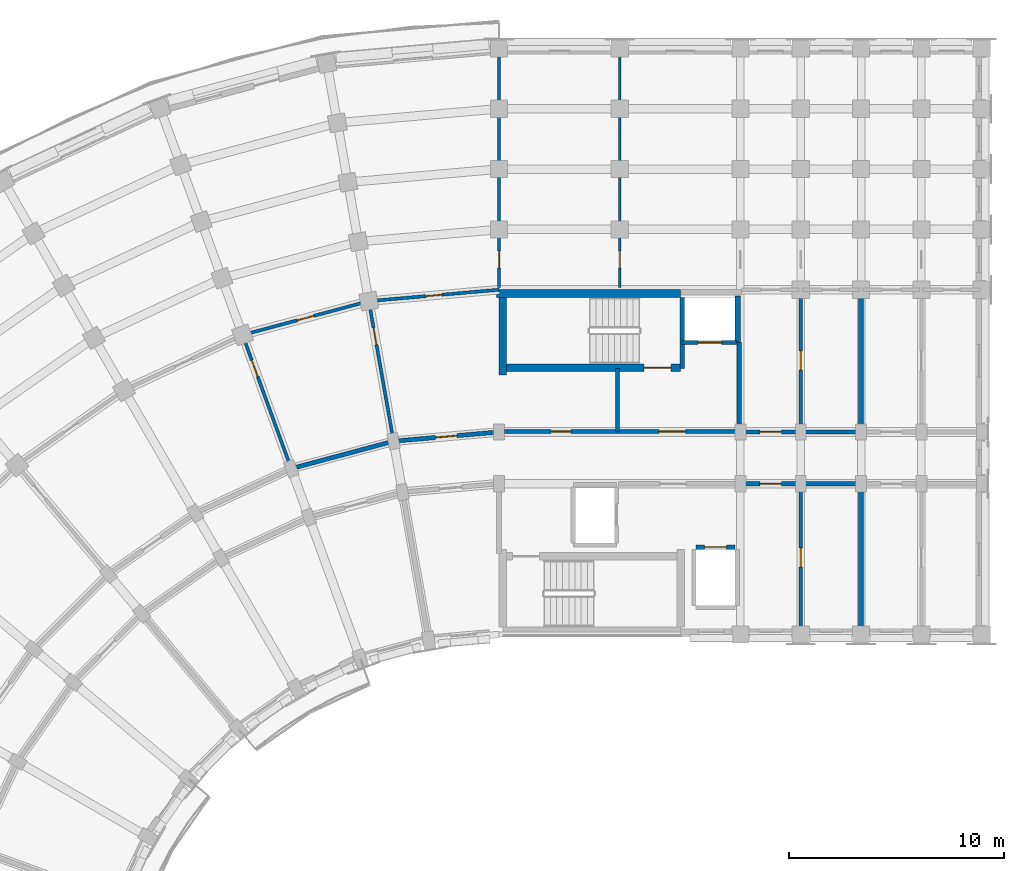
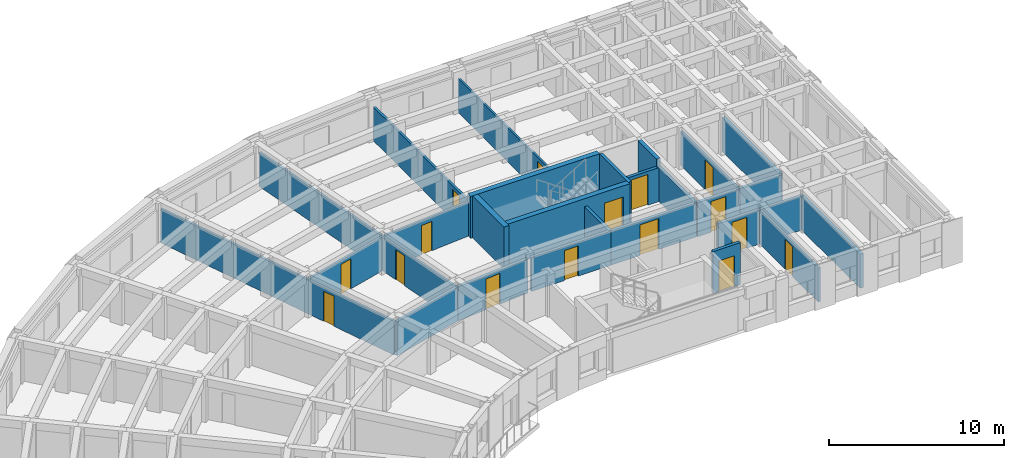
# One storey, part 46 of 76: 27 walls, 16 doors, 16 openings.
"""IFC4 building model written with IfcOpenShell, lengths in metres."""

from ifc_helpers import new_model, si_unit, direction, frame, frame_2d, origin, place, context, subcontext, project, spatial, rectangle, extrude, material, layer, layer_set, type_object, element, fill, save


model = new_model("IFC4")

# Units and contexts
model_context = context("Model", 3, precision=1e-05, world=origin(), true_north=direction((0.0, 1.0)))
body_context = subcontext(model_context, "Body", "Model", "MODEL_VIEW")
ifc_project = project(units=[si_unit("LENGTHUNIT", "METRE"), si_unit("AREAUNIT", "SQUARE_METRE"), si_unit("VOLUMEUNIT", "CUBIC_METRE"), si_unit("PLANEANGLEUNIT", "RADIAN"), si_unit("MASSUNIT", "GRAM", prefix="KILO")], contexts=[model_context])

# Site, building, storey
site_placement = place(None, origin())
site = spatial("IfcSite", under=ifc_project, at=site_placement, CompositionType="ELEMENT")
building_placement = place(site_placement, origin())
building = spatial("IfcBuilding", under=site, at=building_placement, Name="Kiranvali Square Residences", CompositionType="ELEMENT")
storey_placement = place(building_placement, frame((0.0, 0.0, 8.699951171875)))
storey = spatial("IfcBuildingStorey", under=building, at=storey_placement, Name="L02", CompositionType="ELEMENT", Elevation=8.699951171875)

# Wall, opening, door
ifc_material_1 = material(Name="Autoclaved aerated concrete blockwork masonry", Category="masonry")
ifc_layer_1 = layer(ifc_material_1, 0.199951171875)
ifc_layer_set_1 = layer_set([ifc_layer_1], Name="Autoclaved aerated concrete blockwork masonry")
wall_type_1 = type_object("IfcWallType", Name="WL-COR-200", PredefinedType="STANDARD", material=ifc_layer_set_1)
wall_1_placement = place(storey_placement, frame((59.39990234375, 113.60009765625, 0.0), z_axis=(0.0, 0.0, 1.0), x_axis=(1.0, 0.0, 0.0)))
wall_1 = element("IfcWall", 1, at=wall_1_placement, inside=storey, type_object=wall_type_1, Name="L02 architectural wall WL-L02-A-A1CI-0", PredefinedType="STANDARD", context=body_context, shape_type="SweptSolid", body=[
    extrude(rectangle(XDim=2.800048828125, YDim=0.199951171875, at=frame_2d((1.39990234375, 0.0))), origin(), (0.0, 0.0, 1.0), 2.3720703125),
])
opening_1_placement = place(wall_1_placement, frame((0.89990234375, 0.0, 0.0)))
opening_1 = element("IfcOpeningElement", 2, at=opening_1_placement, cuts=wall_1, Name="Opening FD-APT-60", PredefinedType="OPENING", context=body_context, shape_type="SweptSolid", body=[
    extrude(rectangle(XDim=1.0, YDim=2.14990234375, at=frame_2d((0.5, 1.074951171875))), frame((0.0, 0.10986328125, 0.0), z_axis=(0.0, -1.0, 0.0), x_axis=(1.0, 0.0, 0.0)), (0.0, 0.0, 1.0), 0.219970703125),
])
ifc_material_2 = material(Name="Fire-rated acoustic hardwood and mineral-core door assembly", Category="wood")
door_type_1 = type_object("IfcDoorType", Name="DR-APT-1000", OperationType="NOTDEFINED", PredefinedType="DOOR", material=ifc_material_2)
door_1_placement = place(opening_1_placement, frame((1.0, 0.0, 0.0), z_axis=(0.0, 0.0, 1.0), x_axis=(-1.0, 0.0, 0.0)))
door_1 = element("IfcDoor", 3, at=door_1_placement, inside=storey, type_object=door_type_1, Name="L02 door DR-L02-0166 (DR-APT-1000)", OperationType="SINGLE_SWING_RIGHT", OverallHeight=2.14990234375, OverallWidth=1.0, PredefinedType="DOOR", context=body_context, shape_type="SweptSolid", body=[
    extrude(rectangle(XDim=1.0, YDim=2.14990234375, at=frame_2d((0.5, 1.074951171875))), frame((0.0, 0.02490234375, 0.0), z_axis=(0.0, -1.0, 0.0), x_axis=(1.0, 0.0, 0.0)), (0.0, 0.0, 1.0), 0.050048828125),
])
fill(opening_1, door_1)

wall_2_placement = place(storey_placement, frame((59.39990234375, 116.0, 0.0), z_axis=(0.0, 0.0, 1.0), x_axis=(1.0, 0.0, 0.0)))
wall_2 = element("IfcWall", 4, at=wall_2_placement, inside=storey, type_object=wall_type_1, Name="L02 architectural wall WL-L02-A-A1CO-0", PredefinedType="STANDARD", context=body_context, shape_type="SweptSolid", body=[
    extrude(rectangle(XDim=2.800048828125, YDim=0.199951171875, at=frame_2d((1.39990234375, 0.0))), origin(), (0.0, 0.0, 1.0), 2.3720703125),
])
opening_2_placement = place(wall_2_placement, frame((0.89990234375, 0.0, 0.0)))
opening_2 = element("IfcOpeningElement", 5, at=opening_2_placement, cuts=wall_2, Name="Opening FD-APT-60", PredefinedType="OPENING", context=body_context, shape_type="SweptSolid", body=[
    extrude(rectangle(XDim=1.0, YDim=2.14990234375, at=frame_2d((0.5, 1.074951171875))), frame((0.0, 0.10986328125, 0.0), z_axis=(0.0, -1.0, 0.0), x_axis=(1.0, 0.0, 0.0)), (0.0, 0.0, 1.0), 0.219970703125),
])
door_2_placement = place(opening_2_placement, frame((1.0, 0.0, 0.0), z_axis=(0.0, 0.0, 1.0), x_axis=(-1.0, 0.0, 0.0)))
door_2 = element("IfcDoor", 6, at=door_2_placement, inside=storey, type_object=door_type_1, Name="L02 door DR-L02-0168 (DR-APT-1000)", OperationType="SINGLE_SWING_RIGHT", OverallHeight=2.14990234375, OverallWidth=1.0, PredefinedType="DOOR", context=body_context, shape_type="SweptSolid", body=[
    extrude(rectangle(XDim=1.0, YDim=2.14990234375, at=frame_2d((0.5, 1.074951171875))), frame((0.0, 0.02490234375, 0.0), z_axis=(0.0, -1.0, 0.0), x_axis=(1.0, 0.0, 0.0)), (0.0, 0.0, 1.0), 0.050048828125),
])
fill(opening_2, door_2)

# Walls
for number, where, z_axis, x_axis, name in (
    (7, (62.199951171875, 113.60009765625, 0.0), (0.0, 0.0, 1.0), (1.0, 0.0, 0.0), "L02 architectural wall WL-L02-A-A1CI-1"),
    (8, (62.199951171875, 116.0, 0.0), (0.0, 0.0, 1.0), (1.0, 0.0, 0.0), "L02 architectural wall WL-L02-A-A1CO-1"),
):
    element("IfcWall", number, at=place(storey_placement, frame(where, z_axis=z_axis, x_axis=x_axis)), inside=storey, type_object=wall_type_1, Name=name, PredefinedType="STANDARD", context=body_context, shape_type="SweptSolid", body=[
        extrude(rectangle(XDim=2.800048828125, YDim=0.199951171875, at=frame_2d((1.39990234375, 0.0))), origin(), (0.0, 0.0, 1.0), 2.3720703125),
    ])

# Wall, opening, door
wall_3_placement = place(storey_placement, frame((48.199951171875, 116.0, 0.0), z_axis=(0.0, 0.0, 1.0), x_axis=(-0.996193663584, -0.087167566415, 0.0)))
wall_3 = element("IfcWall", 9, at=wall_3_placement, inside=storey, type_object=wall_type_1, Name="L02 architectural wall WL-L02-A-CCO-0", PredefinedType="STANDARD", context=body_context, shape_type="SweptSolid", body=[
    extrude(rectangle(XDim=4.91552734375, YDim=0.199951171875, at=frame_2d((2.457763671875, 0.0))), origin(), (0.0, 0.0, 1.0), 2.3720703125),
])
opening_3_placement = place(wall_3_placement, frame((1.957763671875, 0.0, 0.0)))
opening_3 = element("IfcOpeningElement", 10, at=opening_3_placement, cuts=wall_3, Name="Opening FD-APT-60", PredefinedType="OPENING", context=body_context, shape_type="SweptSolid", body=[
    extrude(rectangle(XDim=1.0, YDim=2.14990234375, at=frame_2d((0.5, 1.074951171875))), frame((0.0, 0.10986328125, 0.0), z_axis=(0.0, -1.0, 0.0), x_axis=(1.0, 0.0, 0.0)), (0.0, 0.0, 1.0), 0.219970703125),
])
door_3_placement = place(opening_3_placement, origin())
door_3 = element("IfcDoor", 11, at=door_3_placement, inside=storey, type_object=door_type_1, Name="L02 door DR-L02-0187 (DR-APT-1000)", OperationType="SINGLE_SWING_LEFT", OverallHeight=2.14990234375, OverallWidth=1.0, PredefinedType="DOOR", context=body_context, shape_type="SweptSolid", body=[
    extrude(rectangle(XDim=1.0, YDim=2.14990234375, at=frame_2d((0.5, 1.074951171875))), frame((0.0, 0.02490234375, 0.0), z_axis=(0.0, -1.0, 0.0), x_axis=(1.0, 0.0, 0.0)), (0.0, 0.0, 1.0), 0.050048828125),
])
fill(opening_3, door_3)

# Walls
wall_4_placement = place(storey_placement, frame((43.30322265625, 115.571533203125, 0.0), z_axis=(0.0, 0.0, 1.0), x_axis=(-0.965930095386, -0.258803112091, 0.0)))
element("IfcWall", 12, at=wall_4_placement, inside=storey, type_object=wall_type_1, Name="L02 architectural wall WL-L02-A-CCO-1", PredefinedType="STANDARD", context=body_context, shape_type="SweptSolid", body=[
    extrude(rectangle(XDim=4.915771484375, YDim=0.199951171875, at=frame_2d((2.4580078125, 0.0))), origin(), (0.0, 0.0, 1.0), 2.3720703125),
])
ifc_layer_2 = layer(ifc_material_1, 0.219970703125)
ifc_layer_set_2 = layer_set([ifc_layer_2], Name="Autoclaved aerated concrete blockwork masonry")
wall_type_2 = type_object("IfcWallType", Name="WL-DEM-220", PredefinedType="STANDARD", material=ifc_layer_set_2)
wall_5_placement = place(storey_placement, frame((65.0, 106.800048828125, 0.0), z_axis=(0.0, 0.0, 1.0), x_axis=(0.0, 1.0, 0.0)))
element("IfcWall", 13, at=wall_5_placement, inside=storey, type_object=wall_type_2, Name="L02 architectural wall WL-L02-A-A1TI-2", PredefinedType="STANDARD", context=body_context, shape_type="SweptSolid", body=[
    extrude(rectangle(XDim=6.75, YDim=0.219970703125, at=frame_2d((3.375, 0.0))), origin(), (0.0, 0.0, 1.0), 2.3720703125),
])
wall_6_placement = place(storey_placement, frame((65.0, 116.050048828125, 0.0), z_axis=(0.0, 0.0, 1.0), x_axis=(0.0, 1.0, 0.0)))
element("IfcWall", 14, at=wall_6_placement, inside=storey, type_object=wall_type_2, Name="L02 architectural wall WL-L02-A-A1TO1-2", PredefinedType="STANDARD", context=body_context, shape_type="SweptSolid", body=[
    extrude(rectangle(XDim=6.530029296875, YDim=0.219970703125, at=frame_2d((3.26513671875, 0.0))), origin(), (0.0, 0.0, 1.0), 2.3720703125),
])

# Wall, opening, door
ifc_layer_3 = layer(ifc_material_1, 0.199951171875)
ifc_layer_set_3 = layer_set([ifc_layer_3], Name="Autoclaved aerated concrete blockwork masonry")
wall_type_3 = type_object("IfcWallType", Name="WL-FFL-200", PredefinedType="STANDARD", material=ifc_layer_set_3)
wall_7_placement = place(storey_placement, frame((53.699951171875, 116.02001953125, 0.0), z_axis=(0.0, 0.0, 1.0), x_axis=(1.0, 0.0, 0.0)))
wall_7 = element("IfcWall", 15, at=wall_7_placement, inside=storey, type_object=wall_type_3, Name="L02 architectural wall WL-L02-A-FF-COR", PredefinedType="STANDARD", context=body_context, shape_type="SweptSolid", body=[
    extrude(rectangle(XDim=5.650146484375, YDim=0.199951171875, at=frame_2d((2.8251953125, 0.0))), origin(), (0.0, 0.0, 1.0), 2.3720703125),
])
opening_4_placement = place(wall_7_placement, frame((1.922607421875, 0.0, 0.0)))
opening_4 = element("IfcOpeningElement", 16, at=opening_4_placement, cuts=wall_7, Name="Opening FD-ST-120", PredefinedType="OPENING", context=body_context, shape_type="SweptSolid", body=[
    extrude(rectangle(XDim=1.239990234375, YDim=2.14990234375, at=frame_2d((0.6201171875, 1.074951171875))), frame((0.0, 0.10986328125, 0.0), z_axis=(0.0, -1.0, 0.0), x_axis=(1.0, 0.0, 0.0)), (0.0, 0.0, 1.0), 0.219970703125),
])
door_type_2 = type_object("IfcDoorType", Name="DR-FD120-1200", OperationType="NOTDEFINED", PredefinedType="DOOR", material=ifc_material_2)
door_4_placement = place(opening_4_placement, frame((1.239990234375, 0.0, 0.0), z_axis=(0.0, 0.0, 1.0), x_axis=(-1.0, 0.0, 0.0)))
door_4 = element("IfcDoor", 17, at=door_4_placement, inside=storey, type_object=door_type_2, Name="L02 door DR-L02-0154 (DR-FD120-1200)", OperationType="SINGLE_SWING_RIGHT", OverallHeight=2.14990234375, OverallWidth=1.239990234375, PredefinedType="DOOR", context=body_context, shape_type="SweptSolid", body=[
    extrude(rectangle(XDim=1.239990234375, YDim=2.14990234375, at=frame_2d((0.6201171875, 1.074951171875))), frame((0.0, 0.02490234375, 0.0), z_axis=(0.0, -1.0, 0.0), x_axis=(1.0, 0.0, 0.0)), (0.0, 0.0, 1.0), 0.050048828125),
])
fill(opening_4, door_4)

# Walls
wall_8_placement = place(storey_placement, frame((53.699951171875, 116.02001953125, 0.0), z_axis=(0.0, 0.0, 1.0), x_axis=(0.0, 1.0, 0.0)))
element("IfcWall", 18, at=wall_8_placement, inside=storey, type_object=wall_type_3, Name="L02 architectural wall WL-L02-A-FF-DIV", PredefinedType="STANDARD", context=body_context, shape_type="SweptSolid", body=[
    extrude(rectangle(XDim=2.929931640625, YDim=0.199951171875, at=frame_2d((1.46484375, 0.0))), origin(), (0.0, 0.0, 1.0), 2.3720703125),
])
wall_9_placement = place(storey_placement, frame((59.35009765625, 116.02001953125, 0.0), z_axis=(0.0, 0.0, 1.0), x_axis=(0.0, 1.0, 0.0)))
element("IfcWall", 19, at=wall_9_placement, inside=storey, type_object=wall_type_3, Name="L02 architectural wall WL-L02-A-FF-END", PredefinedType="STANDARD", context=body_context, shape_type="SweptSolid", body=[
    extrude(rectangle(XDim=4.1298828125, YDim=0.199951171875, at=frame_2d((2.06494140625, 0.0))), origin(), (0.0, 0.0, 1.0), 2.3720703125),
])

# Wall, opening, door
wall_10_placement = place(storey_placement, frame((56.699951171875, 120.14990234375, 0.0), z_axis=(0.0, 0.0, 1.0), x_axis=(1.0, 0.0, 0.0)))
wall_10 = element("IfcWall", 20, at=wall_10_placement, inside=storey, type_object=wall_type_3, Name="L02 architectural wall WL-L02-A-FF-LFT", PredefinedType="STANDARD", context=body_context, shape_type="SweptSolid", body=[
    extrude(rectangle(XDim=2.550048828125, YDim=0.199951171875, at=frame_2d((1.27490234375, 0.0))), origin(), (0.0, 0.0, 1.0), 2.3720703125),
])
opening_5_placement = place(wall_10_placement, frame((0.72509765625, 0.0, 0.0)))
opening_5 = element("IfcOpeningElement", 21, at=opening_5_placement, cuts=wall_10, Name="Opening LD-FF-110", PredefinedType="OPENING", context=body_context, shape_type="SweptSolid", body=[
    extrude(rectangle(XDim=1.10009765625, YDim=2.14990234375, at=frame_2d((0.550048828125, 1.074951171875))), frame((0.0, 0.10986328125, 0.0), z_axis=(0.0, -1.0, 0.0), x_axis=(1.0, 0.0, 0.0)), (0.0, 0.0, 1.0), 0.219970703125),
])
door_type_3 = type_object("IfcDoorType", Name="DR-LIFT-FF-1100", OperationType="SLIDING_TO_LEFT", PredefinedType="DOOR", material=ifc_material_2)
door_5_placement = place(opening_5_placement, origin())
door_5 = element("IfcDoor", 22, at=door_5_placement, inside=storey, type_object=door_type_3, Name="L02 door DR-L02-0156 (DR-LIFT-FF-1100)", OperationType="SLIDING_TO_LEFT", OverallHeight=2.14990234375, OverallWidth=1.10009765625, PredefinedType="DOOR", context=body_context, shape_type="SweptSolid", body=[
    extrude(rectangle(XDim=1.10009765625, YDim=2.14990234375, at=frame_2d((0.550048828125, 1.074951171875))), frame((0.0, 0.02490234375, 0.0), z_axis=(0.0, -1.0, 0.0), x_axis=(1.0, 0.0, 0.0)), (0.0, 0.0, 1.0), 0.050048828125),
])
fill(opening_5, door_5)

ifc_material_3 = material(Name="Acoustic gypsum board drylined partition", Category="gypsum")
ifc_layer_4 = layer(ifc_material_3, 0.125)
ifc_layer_set_4 = layer_set([ifc_layer_4], Name="Acoustic gypsum board drylined partition")
wall_type_4 = type_object("IfcWallType", Name="WL-PRT-125", PredefinedType="PARTITIONING", material=ifc_layer_set_4)
wall_11_placement = place(storey_placement, frame((53.800048828125, 122.699951171875, 0.0), z_axis=(0.0, 0.0, 1.0), x_axis=(0.0, 1.0, 0.0)))
wall_11 = element("IfcWall", 23, at=wall_11_placement, inside=storey, type_object=wall_type_4, Name="L02 architectural wall WL-L02-A-CF-MID", PredefinedType="PARTITIONING", context=body_context, shape_type="SweptSolid", body=[
    extrude(rectangle(XDim=10.820068359375, YDim=0.125, at=frame_2d((5.41015625, 0.0))), origin(), (0.0, 0.0, 1.0), 2.3720703125),
])
opening_6_placement = place(wall_11_placement, frame((0.8994140625, 0.0, 0.0)))
opening_6 = element("IfcOpeningElement", 24, at=opening_6_placement, cuts=wall_11, Name="Opening ID-WET", PredefinedType="OPENING", context=body_context, shape_type="SweptSolid", body=[
    extrude(rectangle(XDim=0.800048828125, YDim=2.10009765625, at=frame_2d((0.39990234375, 1.050048828125))), frame((0.0, 0.072509765625, 0.0), z_axis=(0.0, -1.0, 0.0), x_axis=(1.0, 0.0, 0.0)), (0.0, 0.0, 1.0), 0.14501953125),
])
ifc_material_4 = material(Name="Solid seasoned teak hardwood joinery", Category="wood")
door_type_4 = type_object("IfcDoorType", Name="DR-WET-800", OperationType="NOTDEFINED", PredefinedType="DOOR", material=ifc_material_4)
door_6_placement = place(opening_6_placement, origin())
door_6 = element("IfcDoor", 25, at=door_6_placement, inside=storey, type_object=door_type_4, Name="L02 door DR-L02-0165 (DR-WET-800)", OperationType="SINGLE_SWING_LEFT", OverallHeight=2.10009765625, OverallWidth=0.800048828125, PredefinedType="DOOR", context=body_context, shape_type="SweptSolid", body=[
    extrude(rectangle(XDim=0.800048828125, YDim=2.10009765625, at=frame_2d((0.39990234375, 1.050048828125))), frame((0.0, 0.02490234375, 0.0), z_axis=(0.0, -1.0, 0.0), x_axis=(1.0, 0.0, 0.0)), (0.0, 0.0, 1.0), 0.050048828125),
])
fill(opening_6, door_6)

ifc_layer_5 = layer(ifc_material_3, 0.14990234375)
ifc_layer_set_5 = layer_set([ifc_layer_5], Name="Acoustic gypsum board drylined partition")
wall_type_5 = type_object("IfcWallType", Name="WL-PRT-150", PredefinedType="PARTITIONING", material=ifc_layer_set_5)
wall_12_placement = place(storey_placement, frame((62.199951171875, 106.800048828125, 0.0), z_axis=(0.0, 0.0, 1.0), x_axis=(0.0, 1.0, 0.0)))
wall_12 = element("IfcWall", 26, at=wall_12_placement, inside=storey, type_object=wall_type_5, Name="L02 architectural wall WL-L02-A-A1TI-1", PredefinedType="PARTITIONING", context=body_context, shape_type="SweptSolid", body=[
    extrude(rectangle(XDim=6.75, YDim=0.14990234375, at=frame_2d((3.375, 0.0))), origin(), (0.0, 0.0, 1.0), 2.3720703125),
])
opening_7_placement = place(wall_12_placement, frame((2.925048828125, 0.0, 0.0)))
opening_7 = element("IfcOpeningElement", 27, at=opening_7_placement, cuts=wall_12, Name="Opening ID-1", PredefinedType="OPENING", context=body_context, shape_type="SweptSolid", body=[
    extrude(rectangle(XDim=0.89990234375, YDim=2.10009765625, at=frame_2d((0.449951171875, 1.050048828125))), frame((0.0, 0.0849609375, 0.0), z_axis=(0.0, -1.0, 0.0), x_axis=(1.0, 0.0, 0.0)), (0.0, 0.0, 1.0), 0.169921875),
])
door_type_5 = type_object("IfcDoorType", Name="DR-INT-900", OperationType="NOTDEFINED", PredefinedType="DOOR", material=ifc_material_4)
door_7_placement = place(opening_7_placement, origin())
door_7 = element("IfcDoor", 28, at=door_7_placement, inside=storey, type_object=door_type_5, Name="L02 door DR-L02-0175 (DR-INT-900)", OperationType="SINGLE_SWING_LEFT", OverallHeight=2.10009765625, OverallWidth=0.89990234375, PredefinedType="DOOR", context=body_context, shape_type="SweptSolid", body=[
    extrude(rectangle(XDim=0.89990234375, YDim=2.10009765625, at=frame_2d((0.449951171875, 1.050048828125))), frame((0.0, 0.02490234375, 0.0), z_axis=(0.0, -1.0, 0.0), x_axis=(1.0, 0.0, 0.0)), (0.0, 0.0, 1.0), 0.050048828125),
])
fill(opening_7, door_7)

wall_13_placement = place(storey_placement, frame((62.199951171875, 116.050048828125, 0.0), z_axis=(0.0, 0.0, 1.0), x_axis=(0.0, 1.0, 0.0)))
wall_13 = element("IfcWall", 29, at=wall_13_placement, inside=storey, type_object=wall_type_5, Name="L02 architectural wall WL-L02-A-A1TO1-1", PredefinedType="PARTITIONING", context=body_context, shape_type="SweptSolid", body=[
    extrude(rectangle(XDim=6.530029296875, YDim=0.14990234375, at=frame_2d((3.26513671875, 0.0))), origin(), (0.0, 0.0, 1.0), 2.3720703125),
])
opening_8_placement = place(wall_13_placement, frame((2.81494140625, 0.0, 0.0)))
opening_8 = element("IfcOpeningElement", 30, at=opening_8_placement, cuts=wall_13, Name="Opening ID-1", PredefinedType="OPENING", context=body_context, shape_type="SweptSolid", body=[
    extrude(rectangle(XDim=0.89990234375, YDim=2.10009765625, at=frame_2d((0.449951171875, 1.050048828125))), frame((0.0, 0.0849609375, 0.0), z_axis=(0.0, -1.0, 0.0), x_axis=(1.0, 0.0, 0.0)), (0.0, 0.0, 1.0), 0.169921875),
])
door_8_placement = place(opening_8_placement, frame((0.89990234375, 0.0, 0.0), z_axis=(0.0, 0.0, 1.0), x_axis=(-1.0, 0.0, 0.0)))
door_8 = element("IfcDoor", 31, at=door_8_placement, inside=storey, type_object=door_type_5, Name="L02 door DR-L02-0176 (DR-INT-900)", OperationType="SINGLE_SWING_RIGHT", OverallHeight=2.10009765625, OverallWidth=0.89990234375, PredefinedType="DOOR", context=body_context, shape_type="SweptSolid", body=[
    extrude(rectangle(XDim=0.89990234375, YDim=2.10009765625, at=frame_2d((0.449951171875, 1.050048828125))), frame((0.0, 0.02490234375, 0.0), z_axis=(0.0, -1.0, 0.0), x_axis=(1.0, 0.0, 0.0)), (0.0, 0.0, 1.0), 0.050048828125),
])
fill(opening_8, door_8)

wall_14_placement = place(storey_placement, frame((48.199951171875, 122.699951171875, 0.0), z_axis=(0.0, 0.0, 1.0), x_axis=(0.0, 1.0, 0.0)))
wall_14 = element("IfcWall", 32, at=wall_14_placement, inside=storey, type_object=wall_type_5, Name="L02 architectural wall WL-L02-A-RADO-0", PredefinedType="PARTITIONING", context=body_context, shape_type="SweptSolid", body=[
    extrude(rectangle(XDim=10.820068359375, YDim=0.14990234375, at=frame_2d((5.41015625, 0.0))), origin(), (0.0, 0.0, 1.0), 2.3720703125),
])
opening_9_placement = place(wall_14_placement, frame((0.8994140625, 0.0, 0.0)))
opening_9 = element("IfcOpeningElement", 33, at=opening_9_placement, cuts=wall_14, Name="Opening ID-WET", PredefinedType="OPENING", context=body_context, shape_type="SweptSolid", body=[
    extrude(rectangle(XDim=0.800048828125, YDim=2.10009765625, at=frame_2d((0.39990234375, 1.050048828125))), frame((0.0, 0.0849609375, 0.0), z_axis=(0.0, -1.0, 0.0), x_axis=(1.0, 0.0, 0.0)), (0.0, 0.0, 1.0), 0.169921875),
])
door_9_placement = place(opening_9_placement, origin())
door_9 = element("IfcDoor", 34, at=door_9_placement, inside=storey, type_object=door_type_4, Name="L02 door DR-L02-0181 (DR-WET-800)", OperationType="SINGLE_SWING_LEFT", OverallHeight=2.10009765625, OverallWidth=0.800048828125, PredefinedType="DOOR", context=body_context, shape_type="SweptSolid", body=[
    extrude(rectangle(XDim=0.800048828125, YDim=2.10009765625, at=frame_2d((0.39990234375, 1.050048828125))), frame((0.0, 0.02490234375, 0.0), z_axis=(0.0, -1.0, 0.0), x_axis=(1.0, 0.0, 0.0)), (0.0, 0.0, 1.0), 0.050048828125),
])
fill(opening_9, door_9)

wall_15_placement = place(storey_placement, frame((43.28564453125, 115.670166015625, 0.0), z_axis=(0.0, 0.0, 1.0), x_axis=(-0.173646216546, 0.984808098809, 0.0)))
wall_15 = element("IfcWall", 35, at=wall_15_placement, inside=storey, type_object=wall_type_5, Name="L02 architectural wall WL-L02-A-RADO-1", PredefinedType="PARTITIONING", context=body_context, shape_type="SweptSolid", body=[
    extrude(rectangle(XDim=17.419921875, YDim=0.14990234375, at=frame_2d((8.7099609375, 0.0))), origin(), (0.0, 0.0, 1.0), 2.3720703125),
])
opening_10_placement = place(wall_15_placement, frame((4.44970703125, 0.0, 0.0)))
opening_10 = element("IfcOpeningElement", 36, at=opening_10_placement, cuts=wall_15, Name="Opening ID-WET", PredefinedType="OPENING", context=body_context, shape_type="SweptSolid", body=[
    extrude(rectangle(XDim=0.800048828125, YDim=2.10009765625, at=frame_2d((0.39990234375, 1.050048828125))), frame((0.0, 0.0849609375, 0.0), z_axis=(0.0, -1.0, 0.0), x_axis=(1.0, 0.0, 0.0)), (0.0, 0.0, 1.0), 0.169921875),
])
door_10_placement = place(opening_10_placement, frame((0.800048828125, 0.0, 0.0), z_axis=(0.0, 0.0, 1.0), x_axis=(-1.0, 0.0, 0.0)))
door_10 = element("IfcDoor", 37, at=door_10_placement, inside=storey, type_object=door_type_4, Name="L02 door DR-L02-0182 (DR-WET-800)", OperationType="SINGLE_SWING_RIGHT", OverallHeight=2.10009765625, OverallWidth=0.800048828125, PredefinedType="DOOR", context=body_context, shape_type="SweptSolid", body=[
    extrude(rectangle(XDim=0.800048828125, YDim=2.10009765625, at=frame_2d((0.39990234375, 1.050048828125))), frame((0.0, 0.02490234375, 0.0), z_axis=(0.0, -1.0, 0.0), x_axis=(1.0, 0.0, 0.0)), (0.0, 0.0, 1.0), 0.050048828125),
])
fill(opening_10, door_10)

wall_16_placement = place(storey_placement, frame((38.520751953125, 114.393310546875, 0.0), z_axis=(0.0, 0.0, 1.0), x_axis=(-0.342022120477, 0.939691901159, 0.0)))
wall_16 = element("IfcWall", 38, at=wall_16_placement, inside=storey, type_object=wall_type_5, Name="L02 architectural wall WL-L02-A-RADO-2", PredefinedType="PARTITIONING", context=body_context, shape_type="SweptSolid", body=[
    extrude(rectangle(XDim=17.419921875, YDim=0.14990234375, at=frame_2d((8.7099609375, 0.0))), origin(), (0.0, 0.0, 1.0), 2.3720703125),
])
opening_11_placement = place(wall_16_placement, frame((4.44970703125, 0.0, 0.0)))
opening_11 = element("IfcOpeningElement", 39, at=opening_11_placement, cuts=wall_16, Name="Opening ID-WET", PredefinedType="OPENING", context=body_context, shape_type="SweptSolid", body=[
    extrude(rectangle(XDim=0.800048828125, YDim=2.10009765625, at=frame_2d((0.39990234375, 1.050048828125))), frame((0.0, 0.0849609375, 0.0), z_axis=(0.0, -1.0, 0.0), x_axis=(1.0, 0.0, 0.0)), (0.0, 0.0, 1.0), 0.169921875),
])
door_11_placement = place(opening_11_placement, origin())
door_11 = element("IfcDoor", 40, at=door_11_placement, inside=storey, type_object=door_type_4, Name="L02 door DR-L02-0183 (DR-WET-800)", OperationType="SINGLE_SWING_LEFT", OverallHeight=2.10009765625, OverallWidth=0.800048828125, PredefinedType="DOOR", context=body_context, shape_type="SweptSolid", body=[
    extrude(rectangle(XDim=0.800048828125, YDim=2.10009765625, at=frame_2d((0.39990234375, 1.050048828125))), frame((0.0, 0.02490234375, 0.0), z_axis=(0.0, -1.0, 0.0), x_axis=(1.0, 0.0, 0.0)), (0.0, 0.0, 1.0), 0.050048828125),
])
fill(opening_11, door_11)

ifc_layer_6 = layer(ifc_material_1, 0.199951171875)
ifc_layer_set_6 = layer_set([ifc_layer_6], Name="Autoclaved aerated concrete blockwork masonry")
wall_type_6 = type_object("IfcWallType", Name="WL-SHF-200", PredefinedType="STANDARD", material=ifc_layer_set_6)
wall_17_placement = place(storey_placement, frame((48.449951171875, 116.02001953125, 0.0), z_axis=(0.0, 0.0, 1.0), x_axis=(1.0, 0.0, 0.0)))
wall_17 = element("IfcWall", 41, at=wall_17_placement, inside=storey, type_object=wall_type_6, Name="L02 architectural wall WL-L02-A-RSR-COR", PredefinedType="STANDARD", context=body_context, shape_type="SweptSolid", body=[
    extrude(rectangle(XDim=5.25, YDim=0.199951171875, at=frame_2d((2.625, 0.0))), origin(), (0.0, 0.0, 1.0), 2.3720703125),
])
opening_12_placement = place(wall_17_placement, frame((2.1650390625, 0.0, 0.0)))
opening_12 = element("IfcOpeningElement", 42, at=opening_12_placement, cuts=wall_17, Name="Opening FD-SVC-120", PredefinedType="OPENING", context=body_context, shape_type="SweptSolid", body=[
    extrude(rectangle(XDim=0.919921875, YDim=2.10009765625, at=frame_2d((0.4599609375, 1.050048828125))), frame((0.0, 0.10986328125, 0.0), z_axis=(0.0, -1.0, 0.0), x_axis=(1.0, 0.0, 0.0)), (0.0, 0.0, 1.0), 0.219970703125),
])
door_type_6 = type_object("IfcDoorType", Name="DR-SVC-900", OperationType="NOTDEFINED", PredefinedType="DOOR", material=ifc_material_2)
door_12_placement = place(opening_12_placement, origin())
door_12 = element("IfcDoor", 43, at=door_12_placement, inside=storey, type_object=door_type_6, Name="L02 door DR-L02-0155 (DR-SVC-900)", OperationType="SINGLE_SWING_LEFT", OverallHeight=2.10009765625, OverallWidth=0.919921875, PredefinedType="DOOR", context=body_context, shape_type="SweptSolid", body=[
    extrude(rectangle(XDim=0.919921875, YDim=2.10009765625, at=frame_2d((0.4599609375, 1.050048828125))), frame((0.0, 0.02490234375, 0.0), z_axis=(0.0, -1.0, 0.0), x_axis=(1.0, 0.0, 0.0)), (0.0, 0.0, 1.0), 0.050048828125),
])
fill(opening_12, door_12)

# Wall
wall_18_placement = place(storey_placement, frame((56.699951171875, 118.949951171875, 0.0), z_axis=(0.0, 0.0, 1.0), x_axis=(0.0, 1.0, 0.0)))
element("IfcWall", 44, at=wall_18_placement, inside=storey, type_object=wall_type_6, Name="L02 architectural wall WL-L02-A-FF-SHF", PredefinedType="STANDARD", context=body_context, shape_type="SweptSolid", body=[
    extrude(rectangle(XDim=3.300048828125, YDim=0.199951171875, at=frame_2d((1.64990234375, 0.0))), origin(), (0.0, 0.0, 1.0), 2.929931640625),
])

# Wall, opening, door
wall_19_placement = place(storey_placement, frame((57.35009765625, 110.64990234375, 0.0), z_axis=(0.0, 0.0, 1.0), x_axis=(1.0, 0.0, 0.0)))
wall_19 = element("IfcWall", 45, at=wall_19_placement, inside=storey, type_object=wall_type_6, Name="L02 architectural wall WL-L02-A-LP1-F", PredefinedType="STANDARD", context=body_context, shape_type="SweptSolid", body=[
    extrude(rectangle(XDim=1.7998046875, YDim=0.199951171875, at=frame_2d((0.89990234375, 0.0))), origin(), (0.0, 0.0, 1.0), 2.929931640625),
])
opening_13_placement = place(wall_19_placement, frame((0.389892578125, 0.0, 0.0)))
opening_13 = element("IfcOpeningElement", 46, at=opening_13_placement, cuts=wall_19, Name="Opening LD-PAX-100", PredefinedType="OPENING", context=body_context, shape_type="SweptSolid", body=[
    extrude(rectangle(XDim=1.02001953125, YDim=2.14990234375, at=frame_2d((0.510009765625, 1.074951171875))), frame((0.0, 0.10986328125, 0.0), z_axis=(0.0, -1.0, 0.0), x_axis=(1.0, 0.0, 0.0)), (0.0, 0.0, 1.0), 0.219970703125),
])
door_type_7 = type_object("IfcDoorType", Name="DR-LIFT-1000", OperationType="SLIDING_TO_RIGHT", PredefinedType="DOOR", material=ifc_material_2)
door_13_placement = place(opening_13_placement, origin())
door_13 = element("IfcDoor", 47, at=door_13_placement, inside=storey, type_object=door_type_7, Name="L02 door DR-L02-0160 (DR-LIFT-1000)", OperationType="SLIDING_TO_RIGHT", OverallHeight=2.14990234375, OverallWidth=1.02001953125, PredefinedType="DOOR", context=body_context, shape_type="SweptSolid", body=[
    extrude(rectangle(XDim=1.02001953125, YDim=2.14990234375, at=frame_2d((0.510009765625, 1.074951171875))), frame((0.0, 0.02490234375, 0.0), z_axis=(0.0, -1.0, 0.0), x_axis=(1.0, 0.0, 0.0)), (0.0, 0.0, 1.0), 0.050048828125),
])
fill(opening_13, door_13)

# Walls
ifc_material_5 = material(Name="Concrete M45 (45 MPa)", Category="concrete")
ifc_layer_7 = layer(ifc_material_5, 0.25)
ifc_layer_set_7 = layer_set([ifc_layer_7], Name="Concrete M45 (45 MPa)")
wall_type_7 = type_object("IfcWallType", Name="WL-SHR-250", PredefinedType="SHEAR", material=ifc_layer_set_7)
wall_20_placement = place(storey_placement, frame((59.27490234375, 120.14990234375, 0.0), z_axis=(0.0, 0.0, 1.0), x_axis=(0.0, 1.0, 0.0)))
element("IfcWall", 48, at=wall_20_placement, inside=storey, type_object=wall_type_7, Name="Block A core shear wall SW-AFF-SD-L02", PredefinedType="SHEAR", context=body_context, shape_type="SweptSolid", body=[
    extrude(rectangle(XDim=2.150146484375, YDim=0.25, at=frame_2d((1.0751953125, 0.0))), origin(), (0.0, 0.0, 1.0), 2.929931640625),
])
ifc_material_6 = material(Name="Concrete M50 (50 MPa)", Category="concrete")
ifc_layer_8 = layer(ifc_material_6, 0.35009765625)
ifc_layer_set_8 = layer_set([ifc_layer_8], Name="Concrete M50 (50 MPa)")
wall_type_8 = type_object("IfcWallType", Name="WL-SHR-350", PredefinedType="SHEAR", material=ifc_layer_set_8)
wall_21_placement = place(storey_placement, frame((48.080078125, 122.425048828125, 0.0), z_axis=(0.0, 0.0, 1.0), x_axis=(1.0, 0.0, 0.0)))
element("IfcWall", 49, at=wall_21_placement, inside=storey, type_object=wall_type_8, Name="Block A core shear wall SW-A1-OUT-L02", PredefinedType="SHEAR", context=body_context, shape_type="SweptSolid", body=[
    extrude(rectangle(XDim=8.544921875, YDim=0.35009765625, at=frame_2d((4.2724609375, 0.0))), origin(), (0.0, 0.0, 1.0), 2.929931640625),
])

# Wall, opening, door
wall_22_placement = place(storey_placement, frame((48.550048828125, 118.97509765625, 0.0), z_axis=(0.0, 0.0, 1.0), x_axis=(1.0, 0.0, 0.0)))
wall_22 = element("IfcWall", 50, at=wall_22_placement, inside=storey, type_object=wall_type_8, Name="Block A core shear wall SW-A1-IN-L02", PredefinedType="SHEAR", context=body_context, shape_type="SweptSolid", body=[
    extrude(rectangle(XDim=8.074951171875, YDim=0.35009765625, at=frame_2d((4.03759765625, 0.0))), origin(), (0.0, 0.0, 1.0), 2.929931640625),
])
opening_14_placement = place(wall_22_placement, frame((6.3798828125, 0.0, 0.0)))
opening_14 = element("IfcOpeningElement", 51, at=opening_14_placement, cuts=wall_22, Name="Opening FD-ST-120", PredefinedType="OPENING", context=body_context, shape_type="SweptSolid", body=[
    extrude(rectangle(XDim=1.239990234375, YDim=2.14990234375, at=frame_2d((0.6201171875, 1.074951171875))), frame((0.0, 0.18505859375, 0.0), z_axis=(0.0, -1.0, 0.0), x_axis=(1.0, 0.0, 0.0)), (0.0, 0.0, 1.0), 0.3701171875),
])
door_14_placement = place(opening_14_placement, origin())
door_14 = element("IfcDoor", 52, at=door_14_placement, inside=storey, type_object=door_type_2, Name="L02 door DR-L02-0157 (DR-FD120-1200)", OperationType="SINGLE_SWING_LEFT", OverallHeight=2.14990234375, OverallWidth=1.239990234375, PredefinedType="DOOR", context=body_context, shape_type="SweptSolid", body=[
    extrude(rectangle(XDim=1.239990234375, YDim=2.14990234375, at=frame_2d((0.6201171875, 1.074951171875))), frame((0.0, 0.02490234375, 0.0), z_axis=(0.0, -1.0, 0.0), x_axis=(1.0, 0.0, 0.0)), (0.0, 0.0, 1.0), 0.050048828125),
])
fill(opening_14, door_14)

# Wall
wall_23_placement = place(storey_placement, frame((48.375, 118.64990234375, 0.0), z_axis=(0.0, 0.0, 1.0), x_axis=(0.0, 1.0, 0.0)))
element("IfcWall", 53, at=wall_23_placement, inside=storey, type_object=wall_type_8, Name="Block A core shear wall SW-A1-FAR-L02", PredefinedType="SHEAR", context=body_context, shape_type="SweptSolid", body=[
    extrude(rectangle(XDim=3.60009765625, YDim=0.35009765625, at=frame_2d((1.800048828125, 0.0))), origin(), (0.0, 0.0, 1.0), 2.929931640625),
])

# Wall, opening, door
ifc_layer_9 = layer(ifc_material_1, 0.14990234375)
ifc_layer_set_9 = layer_set([ifc_layer_9], Name="Autoclaved aerated concrete blockwork masonry")
wall_type_9 = type_object("IfcWallType", Name="WL-WET-150", PredefinedType="PLUMBINGWALL", material=ifc_layer_set_9)
wall_24_placement = place(storey_placement, frame((48.199951171875, 122.60009765625, 0.0), z_axis=(0.0, 0.0, 1.0), x_axis=(-0.996193018494, -0.087174938512, 0.0)))
wall_24 = element("IfcWall", 54, at=wall_24_placement, inside=storey, type_object=wall_type_9, Name="L02 architectural wall WL-L02-A-CWET-0", PredefinedType="PLUMBINGWALL", context=body_context, shape_type="SweptSolid", body=[
    extrude(rectangle(XDim=6.066162109375, YDim=0.14990234375, at=frame_2d((3.033203125, 0.0))), origin(), (0.0, 0.0, 1.0), 2.3720703125),
])
opening_15_placement = place(wall_24_placement, frame((2.653076171875, 0.0, 0.0)))
opening_15 = element("IfcOpeningElement", 55, at=opening_15_placement, cuts=wall_24, Name="Opening ID-WET0", PredefinedType="OPENING", context=body_context, shape_type="SweptSolid", body=[
    extrude(rectangle(XDim=0.760009765625, YDim=2.050048828125, at=frame_2d((0.3798828125, 1.02490234375))), frame((0.0, 0.0849609375, 0.0), z_axis=(0.0, -1.0, 0.0), x_axis=(1.0, 0.0, 0.0)), (0.0, 0.0, 1.0), 0.169921875),
])
door_type_8 = type_object("IfcDoorType", Name="DR-WET-760", OperationType="NOTDEFINED", PredefinedType="DOOR", material=ifc_material_4)
door_15_placement = place(opening_15_placement, frame((0.760009765625, 0.0, 0.0), z_axis=(0.0, 0.0, 1.0), x_axis=(-1.0, 0.0, 0.0)))
door_15 = element("IfcDoor", 56, at=door_15_placement, inside=storey, type_object=door_type_8, Name="L02 door DR-L02-0188 (DR-WET-760)", OperationType="SINGLE_SWING_RIGHT", OverallHeight=2.050048828125, OverallWidth=0.760009765625, PredefinedType="DOOR", context=body_context, shape_type="SweptSolid", body=[
    extrude(rectangle(XDim=0.760009765625, YDim=2.050048828125, at=frame_2d((0.3798828125, 1.02490234375))), frame((0.0, 0.02490234375, 0.0), z_axis=(0.0, -1.0, 0.0), x_axis=(1.0, 0.0, 0.0)), (0.0, 0.0, 1.0), 0.050048828125),
])
fill(opening_15, door_15)

wall_25_placement = place(storey_placement, frame((42.156982421875, 122.0712890625, 0.0), z_axis=(0.0, 0.0, 1.0), x_axis=(-0.965923618901, -0.258827283048, 0.0)))
wall_25 = element("IfcWall", 57, at=wall_25_placement, inside=storey, type_object=wall_type_9, Name="L02 architectural wall WL-L02-A-CWET-1", PredefinedType="PLUMBINGWALL", context=body_context, shape_type="SweptSolid", body=[
    extrude(rectangle(XDim=6.066162109375, YDim=0.14990234375, at=frame_2d((3.033203125, 0.0))), origin(), (0.0, 0.0, 1.0), 2.3720703125),
])
opening_16_placement = place(wall_25_placement, frame((2.633056640625, 0.0, 0.0)))
opening_16 = element("IfcOpeningElement", 58, at=opening_16_placement, cuts=wall_25, Name="Opening ID-WET", PredefinedType="OPENING", context=body_context, shape_type="SweptSolid", body=[
    extrude(rectangle(XDim=0.800048828125, YDim=2.10009765625, at=frame_2d((0.39990234375, 1.050048828125))), frame((0.0, 0.0849609375, 0.0), z_axis=(0.0, -1.0, 0.0), x_axis=(1.0, 0.0, 0.0)), (0.0, 0.0, 1.0), 0.169921875),
])
door_16_placement = place(opening_16_placement, origin())
door_16 = element("IfcDoor", 59, at=door_16_placement, inside=storey, type_object=door_type_4, Name="L02 door DR-L02-0189 (DR-WET-800)", OperationType="SINGLE_SWING_LEFT", OverallHeight=2.10009765625, OverallWidth=0.800048828125, PredefinedType="DOOR", context=body_context, shape_type="SweptSolid", body=[
    extrude(rectangle(XDim=0.800048828125, YDim=2.10009765625, at=frame_2d((0.39990234375, 1.050048828125))), frame((0.0, 0.02490234375, 0.0), z_axis=(0.0, -1.0, 0.0), x_axis=(1.0, 0.0, 0.0)), (0.0, 0.0, 1.0), 0.050048828125),
])
fill(opening_16, door_16)

save(model, "model.ifc")
